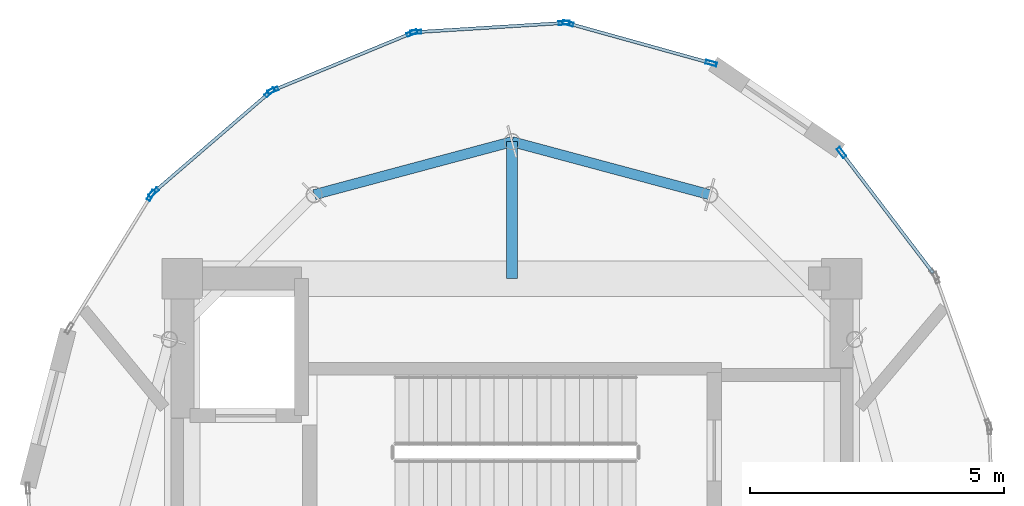
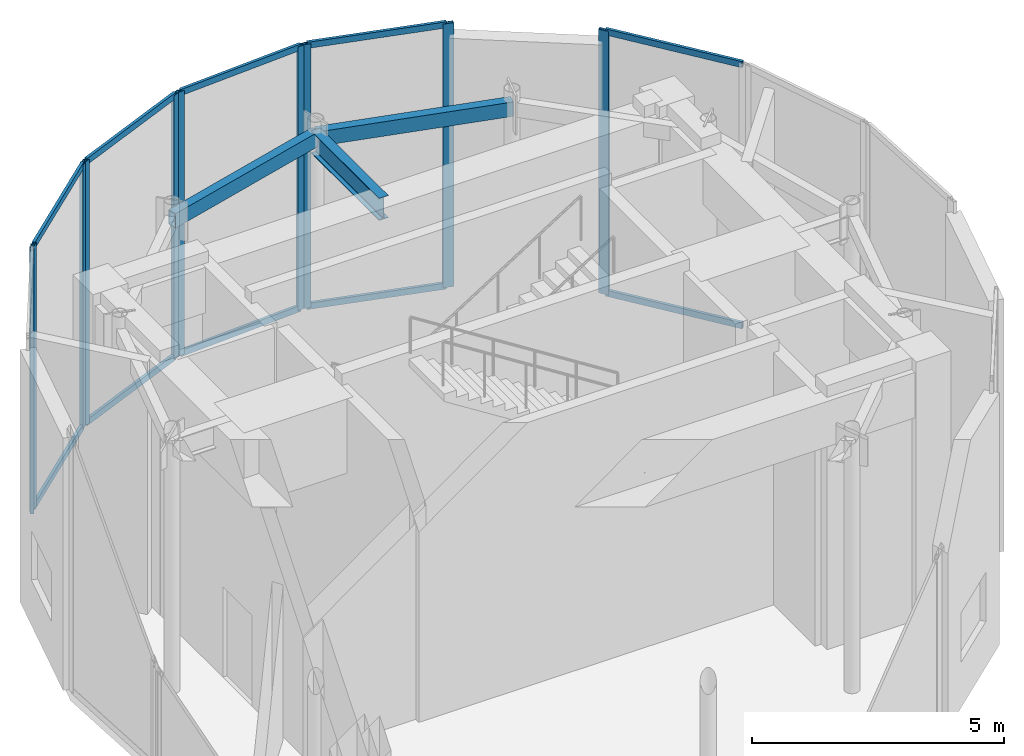
# One storey, part 5 of 8: 20 members, 3 beams, 6 elements without a shape of their own.
"""IFC4 building model written with IfcOpenShell, lengths in metres."""

from ifc_helpers import new_model, si_unit, direction, frame, origin, origin_2d, place, context, subcontext, project, spatial, hollow_rectangle, i_section, extrude, source, transform, mapped, material, layer, layer_set, material_profile, profile_set, type_object, element, aggregate, save


model = new_model("IFC4")

# Units and contexts
model_context = context("Model", 3, precision=1e-05, world=origin(), true_north=direction((0.0, 1.0)))
body_context = subcontext(model_context, "Body", "Model", "MODEL_VIEW")
ifc_project = project(units=[si_unit("LENGTHUNIT", "METRE"), si_unit("AREAUNIT", "SQUARE_METRE"), si_unit("VOLUMEUNIT", "CUBIC_METRE"), si_unit("PLANEANGLEUNIT", "RADIAN"), si_unit("MASSUNIT", "GRAM", prefix="KILO")], contexts=[model_context])

# Site, building, storey
site_placement = place(None, origin())
site = spatial("IfcSite", under=ifc_project, at=site_placement, CompositionType="ELEMENT")
building_placement = place(site_placement, origin())
building = spatial("IfcBuilding", under=site, at=building_placement, Name="Solvirekh Grand Hotel", CompositionType="ELEMENT")
storey_placement = place(building_placement, frame((0.0, 0.0, 327.39990234375)))
storey = spatial("IfcBuildingStorey", under=building, at=storey_placement, Name="L82", CompositionType="ELEMENT", Elevation=327.39990234375)

# Beams
ifc_material_1 = material(Name="Steel S355", Category="steel")
ifc_material_profile_1 = material_profile(ifc_material_1, i_section(OverallWidth=0.2119140625, OverallDepth=0.5439453125, WebThickness=0.011962890625, FlangeThickness=0.01904296875, FilletRadius=0.013916015625, at=origin_2d()), Name="W530X123")
ifc_profile_set_1 = profile_set([ifc_material_profile_1], Name="Steel S355")
beam_type_1 = type_object("IfcBeamType", Name="Beam_Radial_W530H", PredefinedType="BEAM", material=ifc_profile_set_1)
beam_placement = place(storey_placement, frame((0.0, 5.10009765625, 5.84814453125), z_axis=(0.0, 1.0, 0.0), x_axis=(-1.0, 0.0, 0.0)))
element("IfcBeam", 1, at=beam_placement, inside=storey, type_object=beam_type_1, Name="L82 radial floor beam R04", PredefinedType="BEAM", context=body_context, shape_type="SweptSolid", body=[
    extrude(i_section(OverallWidth=0.2119140625, OverallDepth=0.5439453125, WebThickness=0.011962890625, FlangeThickness=0.01904296875, FilletRadius=0.013916015625, at=origin_2d()), origin(), (0.0, 0.0, 1.0), 2.699951171875),
])
ifc_material_profile_2 = material_profile(ifc_material_1, hollow_rectangle(XDim=0.199951171875, YDim=0.35009765625, WallThickness=0.013916015625, at=origin_2d()), Name="RHS 350X200X14")
ifc_profile_set_2 = profile_set([ifc_material_profile_2], Name="Steel S355")
beam_type_2 = type_object("IfcBeamType", Name="Spandrel_Crown_RHS350", PredefinedType="SPANDREL", material=ifc_profile_set_2)
for number, where, z_axis, x_axis, name in (
    (2, (3.89990234375, 6.7548828125, 5.945068359375), (-0.965914040095, 0.258863027773, 0.0), (-0.258863027773, -0.965914040095, 0.0), "L82 perimeter spandrel beam 3"),
    (3, (0.0, 7.800048828125, 5.945068359375), (-0.965914040095, -0.258863027773, 0.0), (0.258863027773, -0.965914040095, 0.0), "L82 perimeter spandrel beam 4"),
):
    element("IfcBeam", number, at=place(storey_placement, frame(where, z_axis=z_axis, x_axis=x_axis)), inside=storey, type_object=beam_type_2, Name=name, PredefinedType="SPANDREL", context=body_context, shape_type="SweptSolid", body=[
        extrude(hollow_rectangle(XDim=0.199951171875, YDim=0.35009765625, WallThickness=0.013916015625, at=origin_2d()), origin(), (0.0, 0.0, 1.0), 4.03759765625),
    ])

# Curtain wall, member
ifc_material_2 = material(Name="Anodized Bronze Aluminium 6063-T6", Category="aluminium")
ifc_layer = layer(ifc_material_2, 0.219970703125)
ifc_layer_set = layer_set([ifc_layer], Name="Anodized Bronze Aluminium 6063-T6")
curtain_wall_type = type_object("IfcCurtainWallType", Name="CW_Sys6_CrownFacetedPointCW", PredefinedType="NOTDEFINED", material=ifc_layer_set)
curtain_wall_1_placement = place(storey_placement, origin())
curtain_wall_1 = element("IfcCurtainWall", 4, at=curtain_wall_1_placement, inside=storey, type_object=curtain_wall_type, Name="L82 unitised bronze-glass curtain wall CW-L82-C08", PredefinedType="NOTDEFINED")
ifc_material_profile_3 = material_profile(ifc_material_2, hollow_rectangle(XDim=0.074951171875, YDim=0.219970703125, WallThickness=0.006103515625, at=origin_2d()), Name="ALU RHS 220X75X6")
ifc_profile_set_3 = profile_set([ifc_material_profile_3], Name="Anodized Bronze Aluminium 6063-T6")
member_type_1 = type_object("IfcMemberType", Name="CWMullion_Sys6", PredefinedType="MULLION", material=ifc_profile_set_3)
shared_shape_1 = source(origin(), body_context, "Body", "SweptSolid", [
    extrude(hollow_rectangle(XDim=0.074951171875, YDim=0.219970703125, WallThickness=0.006103515625, at=origin_2d()), origin(), (0.0, 0.0, 1.0), 6.400146484375),
])
member_1_placement = place(storey_placement, frame((6.496826171875, 7.587158203125, 0.0), z_axis=(0.0, 0.0, 1.0), x_axis=(-0.795720510876, -0.605663989825, 0.0)))
member_1 = element("IfcMember", 5, at=member_1_placement, type_object=member_type_1, Name="U06 mullion 2", PredefinedType="MULLION", context=body_context, shape_type="MappedRepresentation", body=[
    mapped(shared_shape_1, transform((0.0, 0.0, 0.0), x_axis=(1.0, 0.0, 0.0), y_axis=(0.0, 1.0, 0.0), z_axis=(0.0, 0.0, 1.0), scale=1.0)),
])

# Curtain wall, members
curtain_wall_2_placement = place(storey_placement, origin())
curtain_wall_2 = element("IfcCurtainWall", 6, at=curtain_wall_2_placement, inside=storey, type_object=curtain_wall_type, Name="L82 unitised bronze-glass curtain wall CW-L82-C10", PredefinedType="NOTDEFINED")
member_2_placement = place(storey_placement, frame((3.927978515625, 9.34814453125, 0.0), z_axis=(0.0, 0.0, 1.0), x_axis=(-0.267952483033, -0.963432128817, 0.0)))
member_2 = element("IfcMember", 7, at=member_2_placement, type_object=member_type_1, Name="U06 mullion 1", PredefinedType="MULLION", context=body_context, shape_type="MappedRepresentation", body=[
    mapped(shared_shape_1, transform((0.0, 0.0, 0.0), x_axis=(1.0, 0.0, 0.0), y_axis=(0.0, 1.0, 0.0), z_axis=(0.0, 0.0, 1.0), scale=1.0)),
])
member_3_placement = place(storey_placement, frame((1.10205078125, 10.134033203125, 0.0), z_axis=(0.0, 0.0, 1.0), x_axis=(-0.267952483033, -0.963432128817, 0.0)))
member_3 = element("IfcMember", 8, at=member_3_placement, type_object=member_type_1, Name="U06 mullion 2", PredefinedType="MULLION", context=body_context, shape_type="MappedRepresentation", body=[
    mapped(shared_shape_1, transform((0.0, 0.0, 0.0), x_axis=(1.0, 0.0, 0.0), y_axis=(0.0, 1.0, 0.0), z_axis=(0.0, 0.0, 1.0), scale=1.0)),
])

curtain_wall_3_placement = place(storey_placement, origin())
curtain_wall_3 = element("IfcCurtainWall", 9, at=curtain_wall_3_placement, inside=storey, type_object=curtain_wall_type, Name="L82 unitised bronze-glass curtain wall CW-L82-C11", PredefinedType="NOTDEFINED")
member_4_placement = place(storey_placement, frame((1.028564453125, 10.1416015625, 0.0), z_axis=(0.0, 0.0, 1.0), x_axis=(0.061840109522, -0.998086068861, 0.0)))
member_4 = element("IfcMember", 10, at=member_4_placement, type_object=member_type_1, Name="U06 mullion 1", PredefinedType="MULLION", context=body_context, shape_type="MappedRepresentation", body=[
    mapped(shared_shape_1, transform((0.0, 0.0, 0.0), x_axis=(1.0, 0.0, 0.0), y_axis=(0.0, 1.0, 0.0), z_axis=(0.0, 0.0, 1.0), scale=1.0)),
])
member_5_placement = place(storey_placement, frame((-1.898681640625, 9.960205078125, 0.0), z_axis=(0.0, 0.0, 1.0), x_axis=(0.061840109522, -0.998086068861, 0.0)))
member_5 = element("IfcMember", 11, at=member_5_placement, type_object=member_type_1, Name="U06 mullion 2", PredefinedType="MULLION", context=body_context, shape_type="MappedRepresentation", body=[
    mapped(shared_shape_1, transform((0.0, 0.0, 0.0), x_axis=(1.0, 0.0, 0.0), y_axis=(0.0, 1.0, 0.0), z_axis=(0.0, 0.0, 1.0), scale=1.0)),
])

curtain_wall_4_placement = place(storey_placement, origin())
curtain_wall_4 = element("IfcCurtainWall", 12, at=curtain_wall_4_placement, inside=storey, type_object=curtain_wall_type, Name="L82 unitised bronze-glass curtain wall CW-L82-C12", PredefinedType="NOTDEFINED")
member_6_placement = place(storey_placement, frame((-1.970703125, 9.943603515625, 0.0), z_axis=(0.0, 0.0, 1.0), x_axis=(0.381509939273, -0.924364736582, 0.0)))
member_6 = element("IfcMember", 13, at=member_6_placement, type_object=member_type_1, Name="U06 mullion 1", PredefinedType="MULLION", context=body_context, shape_type="MappedRepresentation", body=[
    mapped(shared_shape_1, transform((0.0, 0.0, 0.0), x_axis=(1.0, 0.0, 0.0), y_axis=(0.0, 1.0, 0.0), z_axis=(0.0, 0.0, 1.0), scale=1.0)),
])
member_7_placement = place(storey_placement, frame((-4.71435546875, 8.811279296875, 0.0), z_axis=(0.0, 0.0, 1.0), x_axis=(0.381509939273, -0.924364736582, 0.0)))
member_7 = element("IfcMember", 14, at=member_7_placement, type_object=member_type_1, Name="U06 mullion 2", PredefinedType="MULLION", context=body_context, shape_type="MappedRepresentation", body=[
    mapped(shared_shape_1, transform((0.0, 0.0, 0.0), x_axis=(1.0, 0.0, 0.0), y_axis=(0.0, 1.0, 0.0), z_axis=(0.0, 0.0, 1.0), scale=1.0)),
])

curtain_wall_5_placement = place(storey_placement, origin())
curtain_wall_5 = element("IfcCurtainWall", 15, at=curtain_wall_5_placement, inside=storey, type_object=curtain_wall_type, Name="L82 unitised bronze-glass curtain wall CW-L82-C13", PredefinedType="NOTDEFINED")
member_8_placement = place(storey_placement, frame((-4.77734375, 8.7724609375, 0.0), z_axis=(0.0, 0.0, 1.0), x_axis=(0.652728969368, -0.757591507706, 0.0)))
member_8 = element("IfcMember", 16, at=member_8_placement, type_object=member_type_1, Name="U06 mullion 1", PredefinedType="MULLION", context=body_context, shape_type="MappedRepresentation", body=[
    mapped(shared_shape_1, transform((0.0, 0.0, 0.0), x_axis=(1.0, 0.0, 0.0), y_axis=(0.0, 1.0, 0.0), z_axis=(0.0, 0.0, 1.0), scale=1.0)),
])
member_9_placement = place(storey_placement, frame((-7.068603515625, 6.798583984375, 0.0), z_axis=(0.0, 0.0, 1.0), x_axis=(0.652728969368, -0.757591507706, 0.0)))
member_9 = element("IfcMember", 17, at=member_9_placement, type_object=member_type_1, Name="U06 mullion 2", PredefinedType="MULLION", context=body_context, shape_type="MappedRepresentation", body=[
    mapped(shared_shape_1, transform((0.0, 0.0, 0.0), x_axis=(1.0, 0.0, 0.0), y_axis=(0.0, 1.0, 0.0), z_axis=(0.0, 0.0, 1.0), scale=1.0)),
])

# Curtain wall, member
curtain_wall_6_placement = place(storey_placement, origin())
curtain_wall_6 = element("IfcCurtainWall", 18, at=curtain_wall_6_placement, inside=storey, type_object=curtain_wall_type, Name="L82 unitised bronze-glass curtain wall CW-L82-C14", PredefinedType="NOTDEFINED")
member_10_placement = place(storey_placement, frame((-7.11669921875, 6.7421875, 0.0), z_axis=(0.0, 0.0, 1.0), x_axis=(0.851418700119, -0.524486603344, 0.0)))
member_10 = element("IfcMember", 19, at=member_10_placement, type_object=member_type_1, Name="U06 mullion 1", PredefinedType="MULLION", context=body_context, shape_type="MappedRepresentation", body=[
    mapped(shared_shape_1, transform((0.0, 0.0, 0.0), x_axis=(1.0, 0.0, 0.0), y_axis=(0.0, 1.0, 0.0), z_axis=(0.0, 0.0, 1.0), scale=1.0)),
])
aggregate(curtain_wall_6, [member_10])

# Member
ifc_material_profile_4 = material_profile(ifc_material_2, hollow_rectangle(XDim=0.06494140625, YDim=0.14990234375, WallThickness=0.0048828125, at=origin_2d()), Name="ALU RHS 150X65X5")
ifc_profile_set_4 = profile_set([ifc_material_profile_4], Name="Anodized Bronze Aluminium 6063-T6")
member_type_2 = type_object("IfcMemberType", Name="CWTransom_Sys6", PredefinedType="USERDEFINED", material=ifc_profile_set_4)
shared_shape_2 = source(origin(), body_context, "Body", "SweptSolid", [
    extrude(hollow_rectangle(XDim=0.06494140625, YDim=0.14990234375, WallThickness=0.0048828125, at=origin_2d()), origin(), (0.0, 0.0, 1.0), 2.857666015625),
])
member_11_placement = place(storey_placement, frame((0.9912109375, 10.139404296875, 0.03271484375), z_axis=(-0.99808534864, -0.061851732638, 0.0), x_axis=(0.061851732638, -0.99808534864, 0.0)))
member_11 = element("IfcMember", 20, at=member_11_placement, type_object=member_type_2, Name="U06 transom 1.1", ObjectType="TRANSOM", PredefinedType="USERDEFINED", context=body_context, shape_type="MappedRepresentation", body=[
    mapped(shared_shape_2, transform((0.0, 0.0, 0.0), x_axis=(1.0, 0.0, 0.0), y_axis=(0.0, 1.0, 0.0), z_axis=(0.0, 0.0, 1.0), scale=1.0)),
])

member_12_placement = place(storey_placement, frame((0.9912109375, 10.139404296875, 6.36767578125), z_axis=(-0.99808534864, -0.061851732638, 0.0), x_axis=(0.061851732638, -0.99808534864, 0.0)))
member_12 = element("IfcMember", 21, at=member_12_placement, type_object=member_type_2, Name="U06 transom 1.2", ObjectType="TRANSOM", PredefinedType="USERDEFINED", context=body_context, shape_type="MappedRepresentation", body=[
    mapped(shared_shape_2, transform((0.0, 0.0, 0.0), x_axis=(1.0, 0.0, 0.0), y_axis=(0.0, 1.0, 0.0), z_axis=(0.0, 0.0, 1.0), scale=1.0)),
])

aggregate(curtain_wall_3, [member_4, member_5, member_11, member_12])

shared_shape_3 = source(origin(), body_context, "Body", "SweptSolid", [
    extrude(hollow_rectangle(XDim=0.06494140625, YDim=0.14990234375, WallThickness=0.0048828125, at=origin_2d()), origin(), (0.0, 0.0, 1.0), 2.89306640625),
])
member_13_placement = place(storey_placement, frame((-2.00537109375, 9.929443359375, 0.03271484375), z_axis=(-0.924364958744, -0.381509400993, 0.0), x_axis=(0.381509400993, -0.924364958744, 0.0)))
member_13 = element("IfcMember", 22, at=member_13_placement, type_object=member_type_2, Name="U06 transom 1.1", ObjectType="TRANSOM", PredefinedType="USERDEFINED", context=body_context, shape_type="MappedRepresentation", body=[
    mapped(shared_shape_3, transform((0.0, 0.0, 0.0), x_axis=(1.0, 0.0, 0.0), y_axis=(0.0, 1.0, 0.0), z_axis=(0.0, 0.0, 1.0), scale=1.0)),
])

member_14_placement = place(storey_placement, frame((-2.00537109375, 9.929443359375, 6.36767578125), z_axis=(-0.924364958744, -0.381509400993, 0.0), x_axis=(0.381509400993, -0.924364958744, 0.0)))
member_14 = element("IfcMember", 23, at=member_14_placement, type_object=member_type_2, Name="U06 transom 1.2", ObjectType="TRANSOM", PredefinedType="USERDEFINED", context=body_context, shape_type="MappedRepresentation", body=[
    mapped(shared_shape_3, transform((0.0, 0.0, 0.0), x_axis=(1.0, 0.0, 0.0), y_axis=(0.0, 1.0, 0.0), z_axis=(0.0, 0.0, 1.0), scale=1.0)),
])

aggregate(curtain_wall_4, [member_6, member_7, member_13, member_14])

shared_shape_4 = source(origin(), body_context, "Body", "SweptSolid", [
    extrude(hollow_rectangle(XDim=0.06494140625, YDim=0.14990234375, WallThickness=0.0048828125, at=origin_2d()), origin(), (0.0, 0.0, 1.0), 2.94921875),
])
member_15_placement = place(storey_placement, frame((8.3056640625, 5.210693359375, 0.03271484375), z_axis=(-0.605654042031, 0.795728082558, 0.0), x_axis=(-0.795728082558, -0.605654042031, 0.0)))
member_15 = element("IfcMember", 24, at=member_15_placement, type_object=member_type_2, Name="U06 transom 1.1", ObjectType="TRANSOM", PredefinedType="USERDEFINED", context=body_context, shape_type="MappedRepresentation", body=[
    mapped(shared_shape_4, transform((0.0, 0.0, 0.0), x_axis=(1.0, 0.0, 0.0), y_axis=(0.0, 1.0, 0.0), z_axis=(0.0, 0.0, 1.0), scale=1.0)),
])

member_16_placement = place(storey_placement, frame((8.3056640625, 5.210693359375, 6.36767578125), z_axis=(-0.605654042031, 0.795728082558, 0.0), x_axis=(-0.795728082558, -0.605654042031, 0.0)))
member_16 = element("IfcMember", 25, at=member_16_placement, type_object=member_type_2, Name="U06 transom 1.2", ObjectType="TRANSOM", PredefinedType="USERDEFINED", context=body_context, shape_type="MappedRepresentation", body=[
    mapped(shared_shape_4, transform((0.0, 0.0, 0.0), x_axis=(1.0, 0.0, 0.0), y_axis=(0.0, 1.0, 0.0), z_axis=(0.0, 0.0, 1.0), scale=1.0)),
])

aggregate(curtain_wall_1, [member_1, member_15, member_16])

member_17_placement = place(storey_placement, frame((-4.805908203125, 8.748046875, 0.03271484375), z_axis=(-0.757600503515, -0.652718528214, 0.0), x_axis=(0.652718528214, -0.757600503515, 0.0)))
member_17 = element("IfcMember", 26, at=member_17_placement, type_object=member_type_2, Name="U06 transom 1.1", ObjectType="TRANSOM", PredefinedType="USERDEFINED", context=body_context, shape_type="MappedRepresentation", body=[
    mapped(shared_shape_4, transform((0.0, 0.0, 0.0), x_axis=(1.0, 0.0, 0.0), y_axis=(0.0, 1.0, 0.0), z_axis=(0.0, 0.0, 1.0), scale=1.0)),
])

member_18_placement = place(storey_placement, frame((-4.805908203125, 8.748046875, 6.36767578125), z_axis=(-0.757600503515, -0.652718528214, 0.0), x_axis=(0.652718528214, -0.757600503515, 0.0)))
member_18 = element("IfcMember", 27, at=member_18_placement, type_object=member_type_2, Name="U06 transom 1.2", ObjectType="TRANSOM", PredefinedType="USERDEFINED", context=body_context, shape_type="MappedRepresentation", body=[
    mapped(shared_shape_4, transform((0.0, 0.0, 0.0), x_axis=(1.0, 0.0, 0.0), y_axis=(0.0, 1.0, 0.0), z_axis=(0.0, 0.0, 1.0), scale=1.0)),
])

aggregate(curtain_wall_5, [member_8, member_9, member_17, member_18])

shared_shape_5 = source(origin(), body_context, "Body", "SweptSolid", [
    extrude(hollow_rectangle(XDim=0.06494140625, YDim=0.14990234375, WallThickness=0.0048828125, at=origin_2d()), origin(), (0.0, 0.0, 1.0), 2.858154296875),
])
member_19_placement = place(storey_placement, frame((3.891845703125, 9.358154296875, 0.03271484375), z_axis=(-0.963430972232, 0.267956641537, 0.0), x_axis=(-0.267956641537, -0.963430972232, 0.0)))
member_19 = element("IfcMember", 28, at=member_19_placement, type_object=member_type_2, Name="U06 transom 1.1", ObjectType="TRANSOM", PredefinedType="USERDEFINED", context=body_context, shape_type="MappedRepresentation", body=[
    mapped(shared_shape_5, transform((0.0, 0.0, 0.0), x_axis=(1.0, 0.0, 0.0), y_axis=(0.0, 1.0, 0.0), z_axis=(0.0, 0.0, 1.0), scale=1.0)),
])

member_20_placement = place(storey_placement, frame((3.891845703125, 9.358154296875, 6.36767578125), z_axis=(-0.963430972232, 0.267956641537, 0.0), x_axis=(-0.267956641537, -0.963430972232, 0.0)))
member_20 = element("IfcMember", 29, at=member_20_placement, type_object=member_type_2, Name="U06 transom 1.2", ObjectType="TRANSOM", PredefinedType="USERDEFINED", context=body_context, shape_type="MappedRepresentation", body=[
    mapped(shared_shape_5, transform((0.0, 0.0, 0.0), x_axis=(1.0, 0.0, 0.0), y_axis=(0.0, 1.0, 0.0), z_axis=(0.0, 0.0, 1.0), scale=1.0)),
])

aggregate(curtain_wall_2, [member_2, member_3, member_19, member_20])

save(model, "model.ifc")
